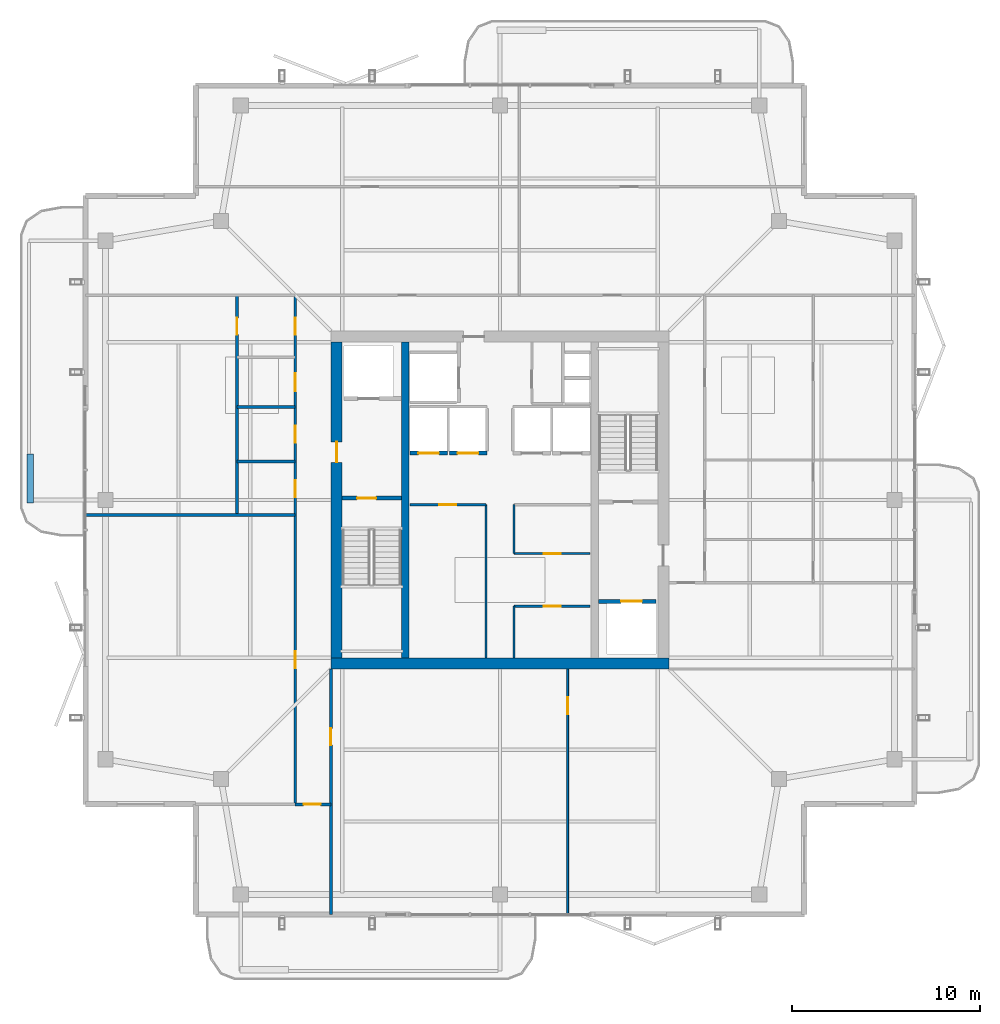
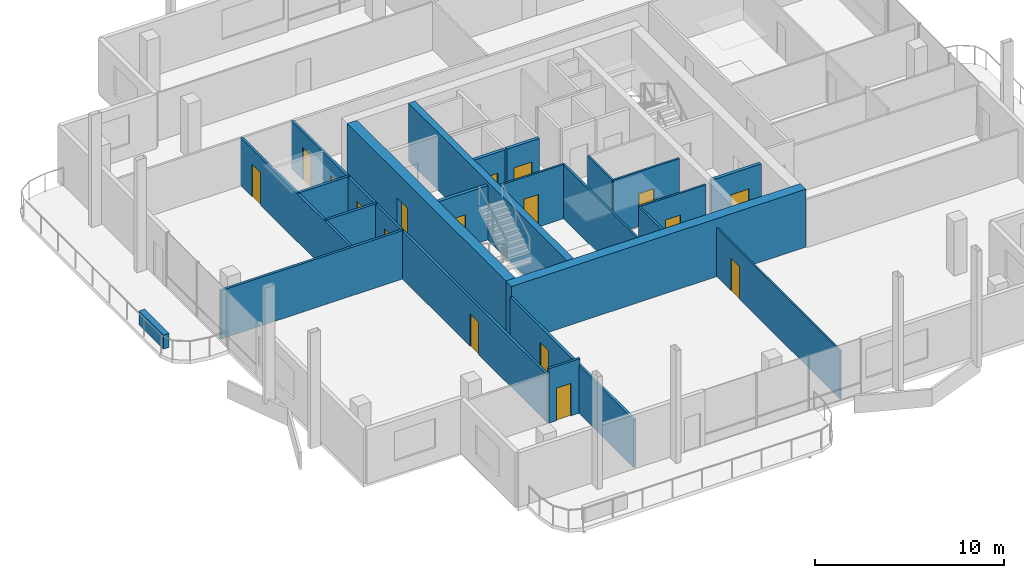
# One storey, part 16 of 22: 22 walls, 17 doors, 17 openings.
"""IFC4 building model written with IfcOpenShell, lengths in metres."""

from ifc_helpers import new_model, si_unit, direction, frame, frame_2d, origin, place, context, subcontext, project, spatial, rectangle, extrude, material, layer, layer_set, type_object, element, fill, save


model = new_model("IFC4")

# Units and contexts
model_context = context("Model", 3, precision=1e-05, world=origin(), true_north=direction((0.0, 1.0)))
body_context = subcontext(model_context, "Body", "Model", "MODEL_VIEW")
ifc_project = project(units=[si_unit("LENGTHUNIT", "METRE"), si_unit("AREAUNIT", "SQUARE_METRE"), si_unit("VOLUMEUNIT", "CUBIC_METRE"), si_unit("PLANEANGLEUNIT", "RADIAN"), si_unit("MASSUNIT", "GRAM", prefix="KILO")], contexts=[model_context])

# Site, building, storey
site_placement = place(None, origin())
site = spatial("IfcSite", under=ifc_project, at=site_placement, CompositionType="ELEMENT")
building_placement = place(site_placement, origin())
building = spatial("IfcBuilding", under=site, at=building_placement, Name="Belovzor Exchange Tower", CompositionType="ELEMENT")
storey_placement = place(building_placement, frame((0.0, 0.0, 336.75)))
storey = spatial("IfcBuildingStorey", under=building, at=storey_placement, Name="L84", CompositionType="ELEMENT", Elevation=336.75)

# Wall, opening, door
ifc_material_1 = material(Name="Acoustic Laminated Glass and Aluminium", Category="aluminium")
ifc_layer_1 = layer(ifc_material_1, 0.10009765625)
ifc_layer_set_1 = layer_set([ifc_layer_1], Name="Acoustic Laminated Glass and Aluminium")
wall_type_1 = type_object("IfcWallType", Name="Demountable Executive Glass Partition 100", PredefinedType="MOVABLE", material=ifc_layer_set_1)
wall_1_placement = place(storey_placement, frame((32.39990234375, 6.72998046875, 0.0), z_axis=(0.0, 0.0, 1.0), x_axis=(0.0, 1.0, 0.0)))
wall_1 = element("IfcWall", 1, at=wall_1_placement, inside=storey, type_object=wall_type_1, Name="W-M100 Partition Wall W-L84-SDIV-1", PredefinedType="MOVABLE", context=body_context, shape_type="SweptSolid", body=[
    extrude(rectangle(XDim=13.070068359375, YDim=0.10009765625, at=frame_2d((6.53515625, 0.0))), origin(), (0.0, 0.0, 1.0), 3.135009765625),
])
opening_1_placement = place(wall_1_placement, frame((10.669921875, 0.0, 0.0)))
opening_1 = element("IfcOpeningElement", 2, at=opening_1_placement, cuts=wall_1, Name="Opening D-INT-090", PredefinedType="OPENING", context=body_context, shape_type="SweptSolid", body=[
    extrude(rectangle(XDim=0.89990234375, YDim=2.10009765625, at=frame_2d((0.449951171875, 1.050048828125))), frame((0.0, 0.06005859375, 0.0), z_axis=(0.0, -1.0, 0.0), x_axis=(1.0, 0.0, 0.0)), (0.0, 0.0, 1.0), 0.1201171875),
])
ifc_material_2 = material(Name="Veneered Hardwood Acoustic Leaf", Category="wood")
door_type_1 = type_object("IfcDoorType", Name="Trading Suite Acoustic Single Door 900x2100", OperationType="NOTDEFINED", PredefinedType="DOOR", material=ifc_material_2)
door_1_placement = place(opening_1_placement, origin())
door_1 = element("IfcDoor", 3, at=door_1_placement, inside=storey, type_object=door_type_1, Name="D-INT-090 Trading Suite Acoustic Single Door 900x2100", OperationType="SINGLE_SWING_LEFT", OverallHeight=2.10009765625, OverallWidth=0.89990234375, PredefinedType="DOOR", context=body_context, shape_type="SweptSolid", body=[
    extrude(rectangle(XDim=0.89990234375, YDim=2.10009765625, at=frame_2d((0.449951171875, 1.050048828125))), frame((0.0, 0.02490234375, 0.0), z_axis=(0.0, -1.0, 0.0), x_axis=(1.0, 0.0, 0.0)), (0.0, 0.0, 1.0), 0.050048828125),
])
fill(opening_1, door_1)

ifc_material_3 = material(Name="Fire-Rated Plasterboard on Galvanised Studs", Category="gypsum")
ifc_layer_2 = layer(ifc_material_3, 0.1201171875)
ifc_layer_set_2 = layer_set([ifc_layer_2], Name="Fire-Rated Plasterboard on Galvanised Studs")
wall_type_2 = type_object("IfcWallType", Name="Fire-Rated Double-Stud Partition Wall 120", PredefinedType="PARTITIONING", material=ifc_layer_set_2)
wall_2_placement = place(storey_placement, frame((24.0, 28.550048828125, 0.0), z_axis=(0.0, 0.0, 1.0), x_axis=(1.0, 0.0, 0.0)))
wall_2 = element("IfcWall", 4, at=wall_2_placement, inside=storey, type_object=wall_type_2, Name="W-P120F Partition Wall W-CRWB-L84-N", PredefinedType="PARTITIONING", context=body_context, shape_type="SweptSolid", body=[
    extrude(rectangle(XDim=4.050048828125, YDim=0.1201171875, at=frame_2d((2.02490234375, 0.0))), origin(), (0.0, 0.0, 1.0), 3.510009765625),
])
opening_2_placement = place(wall_2_placement, frame((1.574951171875, 0.0, 0.0)))
opening_2 = element("IfcOpeningElement", 5, at=opening_2_placement, cuts=wall_2, Name="Opening D-FD60-090", PredefinedType="OPENING", context=body_context, shape_type="SweptSolid", body=[
    extrude(rectangle(XDim=0.89990234375, YDim=2.10009765625, at=frame_2d((0.449951171875, 1.050048828125))), frame((0.0, 0.070068359375, 0.0), z_axis=(0.0, -1.0, 0.0), x_axis=(1.0, 0.0, 0.0)), (0.0, 0.0, 1.0), 0.14013671875),
])
ifc_material_4 = material(Name="Acoustic Timber Fire Leaf", Category="wood")
door_type_2 = type_object("IfcDoorType", Name="Core Service & Restroom Fire Door 900x2100", OperationType="NOTDEFINED", PredefinedType="DOOR", material=ifc_material_4)
door_2_placement = place(opening_2_placement, origin())
door_2 = element("IfcDoor", 6, at=door_2_placement, inside=storey, type_object=door_type_2, Name="D-FD60-090 Core Service & Restroom Fire Door 900x2100", OperationType="SINGLE_SWING_LEFT", OverallHeight=2.10009765625, OverallWidth=0.89990234375, PredefinedType="DOOR", context=body_context, shape_type="SweptSolid", body=[
    extrude(rectangle(XDim=0.89990234375, YDim=2.10009765625, at=frame_2d((0.449951171875, 1.050048828125))), frame((0.0, 0.02490234375, 0.0), z_axis=(0.0, -1.0, 0.0), x_axis=(1.0, 0.0, 0.0)), (0.0, 0.0, 1.0), 0.050048828125),
])
fill(opening_2, door_2)

# Wall
wall_3_placement = place(storey_placement, frame((28.050048828125, 20.39990234375, 0.0), z_axis=(0.0, 0.0, 1.0), x_axis=(0.0, 1.0, 0.0)))
element("IfcWall", 7, at=wall_3_placement, inside=storey, type_object=wall_type_2, Name="W-P120F Partition Wall W-CRWB-L84-E", PredefinedType="PARTITIONING", context=body_context, shape_type="SweptSolid", body=[
    extrude(rectangle(XDim=8.150146484375, YDim=0.1201171875, at=frame_2d((4.0751953125, 0.0))), origin(), (0.0, 0.0, 1.0), 3.510009765625),
])

# Wall, opening, door
wall_4_placement = place(storey_placement, frame((29.550048828125, 23.14990234375, 0.0), z_axis=(0.0, 0.0, 1.0), x_axis=(1.0, 0.0, 0.0)))
wall_4 = element("IfcWall", 8, at=wall_4_placement, inside=storey, type_object=wall_type_2, Name="W-P120F Partition Wall W-CRL-L84-EN", PredefinedType="PARTITIONING", context=body_context, shape_type="SweptSolid", body=[
    extrude(rectangle(XDim=4.050048828125, YDim=0.1201171875, at=frame_2d((2.02490234375, 0.0))), origin(), (0.0, 0.0, 1.0), 3.510009765625),
])
opening_3_placement = place(wall_4_placement, frame((1.574951171875, 0.0, 0.0)))
opening_3 = element("IfcOpeningElement", 9, at=opening_3_placement, cuts=wall_4, Name="Opening D-FD60-090", PredefinedType="OPENING", context=body_context, shape_type="SweptSolid", body=[
    extrude(rectangle(XDim=0.89990234375, YDim=2.10009765625, at=frame_2d((0.449951171875, 1.050048828125))), frame((0.0, 0.070068359375, 0.0), z_axis=(0.0, -1.0, 0.0), x_axis=(1.0, 0.0, 0.0)), (0.0, 0.0, 1.0), 0.14013671875),
])
door_3_placement = place(opening_3_placement, origin())
door_3 = element("IfcDoor", 10, at=door_3_placement, inside=storey, type_object=door_type_2, Name="D-FD60-090 Core Service & Restroom Fire Door 900x2100", OperationType="SINGLE_SWING_RIGHT", OverallHeight=2.10009765625, OverallWidth=0.89990234375, PredefinedType="DOOR", context=body_context, shape_type="SweptSolid", body=[
    extrude(rectangle(XDim=0.89990234375, YDim=2.10009765625, at=frame_2d((0.449951171875, 1.050048828125))), frame((0.0, 0.02490234375, 0.0), z_axis=(0.0, -1.0, 0.0), x_axis=(1.0, 0.0, 0.0)), (0.0, 0.0, 1.0), 0.050048828125),
])
fill(opening_3, door_3)

# Wall
wall_5_placement = place(storey_placement, frame((29.550048828125, 20.39990234375, 0.0), z_axis=(0.0, 0.0, 1.0), x_axis=(0.0, 1.0, 0.0)))
element("IfcWall", 11, at=wall_5_placement, inside=storey, type_object=wall_type_2, Name="W-P120F Partition Wall W-CRL-L84-EW", PredefinedType="PARTITIONING", context=body_context, shape_type="SweptSolid", body=[
    extrude(rectangle(XDim=2.75, YDim=0.1201171875, at=frame_2d((1.375, 0.0))), origin(), (0.0, 0.0, 1.0), 3.510009765625),
])

# Wall, opening, door
wall_6_placement = place(storey_placement, frame((29.550048828125, 25.949951171875, 0.0), z_axis=(0.0, 0.0, 1.0), x_axis=(1.0, 0.0, 0.0)))
wall_6 = element("IfcWall", 12, at=wall_6_placement, inside=storey, type_object=wall_type_2, Name="W-P120F Partition Wall W-CRM-L84-ES", PredefinedType="PARTITIONING", context=body_context, shape_type="SweptSolid", body=[
    extrude(rectangle(XDim=4.050048828125, YDim=0.1201171875, at=frame_2d((2.02490234375, 0.0))), origin(), (0.0, 0.0, 1.0), 3.510009765625),
])
opening_4_placement = place(wall_6_placement, frame((1.574951171875, 0.0, 0.0)))
opening_4 = element("IfcOpeningElement", 13, at=opening_4_placement, cuts=wall_6, Name="Opening D-FD60-090", PredefinedType="OPENING", context=body_context, shape_type="SweptSolid", body=[
    extrude(rectangle(XDim=0.89990234375, YDim=2.10009765625, at=frame_2d((0.449951171875, 1.050048828125))), frame((0.0, 0.070068359375, 0.0), z_axis=(0.0, -1.0, 0.0), x_axis=(1.0, 0.0, 0.0)), (0.0, 0.0, 1.0), 0.14013671875),
])
door_4_placement = place(opening_4_placement, origin())
door_4 = element("IfcDoor", 14, at=door_4_placement, inside=storey, type_object=door_type_2, Name="D-FD60-090 Core Service & Restroom Fire Door 900x2100", OperationType="SINGLE_SWING_RIGHT", OverallHeight=2.10009765625, OverallWidth=0.89990234375, PredefinedType="DOOR", context=body_context, shape_type="SweptSolid", body=[
    extrude(rectangle(XDim=0.89990234375, YDim=2.10009765625, at=frame_2d((0.449951171875, 1.050048828125))), frame((0.0, 0.02490234375, 0.0), z_axis=(0.0, -1.0, 0.0), x_axis=(1.0, 0.0, 0.0)), (0.0, 0.0, 1.0), 0.050048828125),
])
fill(opening_4, door_4)

# Wall
wall_7_placement = place(storey_placement, frame((29.550048828125, 25.949951171875, 0.0), z_axis=(0.0, 0.0, 1.0), x_axis=(0.0, 1.0, 0.0)))
element("IfcWall", 15, at=wall_7_placement, inside=storey, type_object=wall_type_2, Name="W-P120F Partition Wall W-CRM-L84-EW", PredefinedType="PARTITIONING", context=body_context, shape_type="SweptSolid", body=[
    extrude(rectangle(XDim=2.60009765625, YDim=0.1201171875, at=frame_2d((1.300048828125, 0.0))), origin(), (0.0, 0.0, 1.0), 3.510009765625),
])

# Wall, opening, door
ifc_material_5 = material(Name="Fire-Rated Gypsum Block and Mineral Wool", Category="gypsum")
ifc_layer_3 = layer(ifc_material_5, 0.14990234375)
ifc_layer_set_3 = layer_set([ifc_layer_3], Name="Fire-Rated Gypsum Block and Mineral Wool")
wall_type_3 = type_object("IfcWallType", Name="Fire-Rated Gypsum Block Corridor Wall 150", PredefinedType="PARTITIONING", material=ifc_layer_set_3)
wall_8_placement = place(storey_placement, frame((14.800048828125, 28.0, 0.0), z_axis=(0.0, 0.0, 1.0), x_axis=(0.0, 1.0, 0.0)))
wall_8 = element("IfcWall", 16, at=wall_8_placement, inside=storey, type_object=wall_type_3, Name="W-P150 Partition Wall W-L84-WCW", PredefinedType="PARTITIONING", context=body_context, shape_type="SweptSolid", body=[
    extrude(rectangle(XDim=11.699951171875, YDim=0.14990234375, at=frame_2d((5.85009765625, 0.0))), origin(), (0.0, 0.0, 1.0), 3.094970703125),
])
opening_5_placement = place(wall_8_placement, frame((9.60009765625, 0.0, 0.0)))
opening_5 = element("IfcOpeningElement", 17, at=opening_5_placement, cuts=wall_8, Name="Opening D-INT-090", PredefinedType="OPENING", context=body_context, shape_type="SweptSolid", body=[
    extrude(rectangle(XDim=0.89990234375, YDim=2.10009765625, at=frame_2d((0.449951171875, 1.050048828125))), frame((0.0, 0.0849609375, 0.0), z_axis=(0.0, -1.0, 0.0), x_axis=(1.0, 0.0, 0.0)), (0.0, 0.0, 1.0), 0.169921875),
])
door_5_placement = place(opening_5_placement, origin())
door_5 = element("IfcDoor", 18, at=door_5_placement, inside=storey, type_object=door_type_1, Name="D-INT-090 Trading Suite Acoustic Single Door 900x2100", OperationType="SINGLE_SWING_LEFT", OverallHeight=2.10009765625, OverallWidth=0.89990234375, PredefinedType="DOOR", context=body_context, shape_type="SweptSolid", body=[
    extrude(rectangle(XDim=0.89990234375, YDim=2.10009765625, at=frame_2d((0.449951171875, 1.050048828125))), frame((0.0, 0.02490234375, 0.0), z_axis=(0.0, -1.0, 0.0), x_axis=(1.0, 0.0, 0.0)), (0.0, 0.0, 1.0), 0.050048828125),
])
fill(opening_5, door_5)

# Walls
wall_9_placement = place(storey_placement, frame((6.72998046875, 28.0, 0.0), z_axis=(0.0, 0.0, 1.0), x_axis=(1.0, 0.0, 0.0)))
element("IfcWall", 19, at=wall_9_placement, inside=storey, type_object=wall_type_3, Name="W-P150 Partition Wall W-L84-WCS", PredefinedType="PARTITIONING", context=body_context, shape_type="SweptSolid", body=[
    extrude(rectangle(XDim=11.169921875, YDim=0.14990234375, at=frame_2d((5.5849609375, 0.0))), origin(), (0.0, 0.0, 1.0), 3.135009765625),
])
for number, where, z_axis, x_axis, name in (
    (20, (14.800048828125, 30.85009765625, 0.0), (0.0, 0.0, 1.0), (1.0, 0.0, 0.0), "W-P150 Partition Wall W-L84-WCD1"),
    (21, (14.800048828125, 33.75, 0.0), (0.0, 0.0, 1.0), (1.0, 0.0, 0.0), "W-P150 Partition Wall W-L84-WCD2"),
):
    element("IfcWall", number, at=place(storey_placement, frame(where, z_axis=z_axis, x_axis=x_axis)), inside=storey, type_object=wall_type_3, Name=name, PredefinedType="PARTITIONING", context=body_context, shape_type="SweptSolid", body=[
        extrude(rectangle(XDim=3.099853515625, YDim=0.14990234375, at=frame_2d((1.5498046875, 0.0))), origin(), (0.0, 0.0, 1.0), 3.135009765625),
    ])

# Wall, opening, door
wall_10_placement = place(storey_placement, frame((17.89990234375, 12.60009765625, 0.0), z_axis=(0.0, 0.0, 1.0), x_axis=(1.0, 0.0, 0.0)))
wall_10 = element("IfcWall", 22, at=wall_10_placement, inside=storey, type_object=wall_type_3, Name="W-P150 Partition Wall W-L84-CW-END", PredefinedType="PARTITIONING", context=body_context, shape_type="SweptSolid", body=[
    extrude(rectangle(XDim=1.900146484375, YDim=0.14990234375, at=frame_2d((0.9501953125, 0.0))), origin(), (0.0, 0.0, 1.0), 3.510009765625),
])
opening_6_placement = place(wall_10_placement, frame((0.449951171875, 0.0, 0.0)))
opening_6 = element("IfcOpeningElement", 23, at=opening_6_placement, cuts=wall_10, Name="Opening D-FD60-090", PredefinedType="OPENING", context=body_context, shape_type="SweptSolid", body=[
    extrude(rectangle(XDim=0.89990234375, YDim=2.10009765625, at=frame_2d((0.449951171875, 1.050048828125))), frame((0.0, 0.0849609375, 0.0), z_axis=(0.0, -1.0, 0.0), x_axis=(1.0, 0.0, 0.0)), (0.0, 0.0, 1.0), 0.169921875),
])
door_6_placement = place(opening_6_placement, origin())
door_6 = element("IfcDoor", 24, at=door_6_placement, inside=storey, type_object=door_type_2, Name="D-FD60-090 Core Service & Restroom Fire Door 900x2100", OperationType="SINGLE_SWING_LEFT", OverallHeight=2.10009765625, OverallWidth=0.89990234375, PredefinedType="DOOR", context=body_context, shape_type="SweptSolid", body=[
    extrude(rectangle(XDim=0.89990234375, YDim=2.10009765625, at=frame_2d((0.449951171875, 1.050048828125))), frame((0.0, 0.02490234375, 0.0), z_axis=(0.0, -1.0, 0.0), x_axis=(1.0, 0.0, 0.0)), (0.0, 0.0, 1.0), 0.050048828125),
])
fill(opening_6, door_6)

wall_11_placement = place(storey_placement, frame((19.800048828125, 6.72998046875, 0.0), z_axis=(0.0, 0.0, 1.0), x_axis=(0.0, 1.0, 0.0)))
wall_11 = element("IfcWall", 25, at=wall_11_placement, inside=storey, type_object=wall_type_3, Name="W-P150 Partition Wall W-L84-CW-E", PredefinedType="PARTITIONING", context=body_context, shape_type="SweptSolid", body=[
    extrude(rectangle(XDim=13.070068359375, YDim=0.14990234375, at=frame_2d((6.53515625, 0.0))), origin(), (0.0, 0.0, 1.0), 3.094970703125),
])
opening_7_placement = place(wall_11_placement, frame((9.02001953125, 0.0, 0.0)))
opening_7 = element("IfcOpeningElement", 26, at=opening_7_placement, cuts=wall_11, Name="Opening D-FD60-090", PredefinedType="OPENING", context=body_context, shape_type="SweptSolid", body=[
    extrude(rectangle(XDim=0.89990234375, YDim=2.10009765625, at=frame_2d((0.449951171875, 1.050048828125))), frame((0.0, 0.0849609375, 0.0), z_axis=(0.0, -1.0, 0.0), x_axis=(1.0, 0.0, 0.0)), (0.0, 0.0, 1.0), 0.169921875),
])
door_7_placement = place(opening_7_placement, origin())
door_7 = element("IfcDoor", 27, at=door_7_placement, inside=storey, type_object=door_type_2, Name="D-FD60-090 Core Service & Restroom Fire Door 900x2100", OperationType="SINGLE_SWING_RIGHT", OverallHeight=2.10009765625, OverallWidth=0.89990234375, PredefinedType="DOOR", context=body_context, shape_type="SweptSolid", body=[
    extrude(rectangle(XDim=0.89990234375, YDim=2.10009765625, at=frame_2d((0.449951171875, 1.050048828125))), frame((0.0, 0.02490234375, 0.0), z_axis=(0.0, -1.0, 0.0), x_axis=(1.0, 0.0, 0.0)), (0.0, 0.0, 1.0), 0.050048828125),
])
fill(opening_7, door_7)

# Wall, openings, doors
wall_12_placement = place(storey_placement, frame((17.89990234375, 12.60009765625, 0.0), z_axis=(0.0, 0.0, 1.0), x_axis=(0.0, 1.0, 0.0)))
wall_12 = element("IfcWall", 28, at=wall_12_placement, inside=storey, type_object=wall_type_3, Name="W-P150 Partition Wall W-L84-CW", PredefinedType="PARTITIONING", context=body_context, shape_type="SweptSolid", body=[
    extrude(rectangle(XDim=27.099853515625, YDim=0.14990234375, at=frame_2d((13.5498046875, 0.0))), origin(), (0.0, 0.0, 1.0), 3.094970703125),
])
opening_8_placement = place(wall_12_placement, frame((7.25, 0.0, 0.0)))
opening_8 = element("IfcOpeningElement", 29, at=opening_8_placement, cuts=wall_12, Name="Opening D-INT-090", PredefinedType="OPENING", context=body_context, shape_type="SweptSolid", body=[
    extrude(rectangle(XDim=0.89990234375, YDim=2.10009765625, at=frame_2d((0.449951171875, 1.050048828125))), frame((0.0, 0.0849609375, 0.0), z_axis=(0.0, -1.0, 0.0), x_axis=(1.0, 0.0, 0.0)), (0.0, 0.0, 1.0), 0.169921875),
])
opening_9_placement = place(wall_12_placement, frame((16.35009765625, 0.0, 0.0)))
opening_9 = element("IfcOpeningElement", 30, at=opening_9_placement, cuts=wall_12, Name="Opening D-FD60-090", PredefinedType="OPENING", context=body_context, shape_type="SweptSolid", body=[
    extrude(rectangle(XDim=0.89990234375, YDim=2.10009765625, at=frame_2d((0.449951171875, 1.050048828125))), frame((0.0, 0.0849609375, 0.0), z_axis=(0.0, -1.0, 0.0), x_axis=(1.0, 0.0, 0.0)), (0.0, 0.0, 1.0), 0.169921875),
])
opening_10_placement = place(wall_12_placement, frame((19.25, 0.0, 0.0)))
opening_10 = element("IfcOpeningElement", 31, at=opening_10_placement, cuts=wall_12, Name="Opening D-FD60-090", PredefinedType="OPENING", context=body_context, shape_type="SweptSolid", body=[
    extrude(rectangle(XDim=0.89990234375, YDim=2.10009765625, at=frame_2d((0.449951171875, 1.050048828125))), frame((0.0, 0.0849609375, 0.0), z_axis=(0.0, -1.0, 0.0), x_axis=(1.0, 0.0, 0.0)), (0.0, 0.0, 1.0), 0.169921875),
])
opening_11_placement = place(wall_12_placement, frame((22.0, 0.0, 0.0)))
opening_11 = element("IfcOpeningElement", 32, at=opening_11_placement, cuts=wall_12, Name="Opening D-FD60-095", PredefinedType="OPENING", context=body_context, shape_type="SweptSolid", body=[
    extrude(rectangle(XDim=0.949951171875, YDim=2.10009765625, at=frame_2d((0.47509765625, 1.050048828125))), frame((0.0, 0.0849609375, 0.0), z_axis=(0.0, -1.0, 0.0), x_axis=(1.0, 0.0, 0.0)), (0.0, 0.0, 1.0), 0.169921875),
])
opening_12_placement = place(wall_12_placement, frame((25.0, 0.0, 0.0)))
opening_12 = element("IfcOpeningElement", 33, at=opening_12_placement, cuts=wall_12, Name="Opening D-FD60-090", PredefinedType="OPENING", context=body_context, shape_type="SweptSolid", body=[
    extrude(rectangle(XDim=0.89990234375, YDim=2.10009765625, at=frame_2d((0.449951171875, 1.050048828125))), frame((0.0, 0.0849609375, 0.0), z_axis=(0.0, -1.0, 0.0), x_axis=(1.0, 0.0, 0.0)), (0.0, 0.0, 1.0), 0.169921875),
])
ifc_material_6 = material(Name="Moisture-Resistant Timber Fire Leaf", Category="wood")
door_type_3 = type_object("IfcDoorType", Name="Accessible Restroom Wide Fire Door 950x2100", OperationType="NOTDEFINED", PredefinedType="DOOR", material=ifc_material_6)
door_8_placement = place(opening_11_placement, origin())
door_8 = element("IfcDoor", 34, at=door_8_placement, inside=storey, type_object=door_type_3, Name="D-FD60-095 Accessible Restroom Wide Fire Door 950x2100", OperationType="SINGLE_SWING_LEFT", OverallHeight=2.10009765625, OverallWidth=0.949951171875, PredefinedType="DOOR", context=body_context, shape_type="SweptSolid", body=[
    extrude(rectangle(XDim=0.949951171875, YDim=2.10009765625, at=frame_2d((0.47509765625, 1.050048828125))), frame((0.0, 0.02490234375, 0.0), z_axis=(0.0, -1.0, 0.0), x_axis=(1.0, 0.0, 0.0)), (0.0, 0.0, 1.0), 0.050048828125),
])
fill(opening_11, door_8)
door_9_placement = place(opening_9_placement, origin())
door_9 = element("IfcDoor", 35, at=door_9_placement, inside=storey, type_object=door_type_2, Name="D-FD60-090 Core Service & Restroom Fire Door 900x2100", OperationType="SINGLE_SWING_LEFT", OverallHeight=2.10009765625, OverallWidth=0.89990234375, PredefinedType="DOOR", context=body_context, shape_type="SweptSolid", body=[
    extrude(rectangle(XDim=0.89990234375, YDim=2.10009765625, at=frame_2d((0.449951171875, 1.050048828125))), frame((0.0, 0.02490234375, 0.0), z_axis=(0.0, -1.0, 0.0), x_axis=(1.0, 0.0, 0.0)), (0.0, 0.0, 1.0), 0.050048828125),
])
fill(opening_9, door_9)
door_10_placement = place(opening_10_placement, origin())
door_10 = element("IfcDoor", 36, at=door_10_placement, inside=storey, type_object=door_type_2, Name="D-FD60-090 Core Service & Restroom Fire Door 900x2100", OperationType="SINGLE_SWING_RIGHT", OverallHeight=2.10009765625, OverallWidth=0.89990234375, PredefinedType="DOOR", context=body_context, shape_type="SweptSolid", body=[
    extrude(rectangle(XDim=0.89990234375, YDim=2.10009765625, at=frame_2d((0.449951171875, 1.050048828125))), frame((0.0, 0.02490234375, 0.0), z_axis=(0.0, -1.0, 0.0), x_axis=(1.0, 0.0, 0.0)), (0.0, 0.0, 1.0), 0.050048828125),
])
fill(opening_10, door_10)
door_11_placement = place(opening_12_placement, origin())
door_11 = element("IfcDoor", 37, at=door_11_placement, inside=storey, type_object=door_type_2, Name="D-FD60-090 Core Service & Restroom Fire Door 900x2100", OperationType="SINGLE_SWING_LEFT", OverallHeight=2.10009765625, OverallWidth=0.89990234375, PredefinedType="DOOR", context=body_context, shape_type="SweptSolid", body=[
    extrude(rectangle(XDim=0.89990234375, YDim=2.10009765625, at=frame_2d((0.449951171875, 1.050048828125))), frame((0.0, 0.02490234375, 0.0), z_axis=(0.0, -1.0, 0.0), x_axis=(1.0, 0.0, 0.0)), (0.0, 0.0, 1.0), 0.050048828125),
])
fill(opening_12, door_11)
door_12_placement = place(opening_8_placement, origin())
door_12 = element("IfcDoor", 38, at=door_12_placement, inside=storey, type_object=door_type_1, Name="D-INT-090 Trading Suite Acoustic Single Door 900x2100", OperationType="SINGLE_SWING_LEFT", OverallHeight=2.10009765625, OverallWidth=0.89990234375, PredefinedType="DOOR", context=body_context, shape_type="SweptSolid", body=[
    extrude(rectangle(XDim=0.89990234375, YDim=2.10009765625, at=frame_2d((0.449951171875, 1.050048828125))), frame((0.0, 0.02490234375, 0.0), z_axis=(0.0, -1.0, 0.0), x_axis=(1.0, 0.0, 0.0)), (0.0, 0.0, 1.0), 0.050048828125),
])
fill(opening_8, door_12)

# Walls
ifc_material_7 = material(Name="Precast concrete C40/50", Category="concrete")
ifc_layer_4 = layer(ifc_material_7, 0.35009765625)
ifc_layer_set_4 = layer_set([ifc_layer_4], Name="Precast concrete C40/50")
wall_type_4 = type_object("IfcWallType", Name="Precast Concrete Structural Tree Planter Trough 350", PredefinedType="PARAPET", material=ifc_layer_set_4)
wall_13_placement = place(storey_placement, frame((3.800048828125, 28.64990234375, 0.0), z_axis=(0.0, 0.0, 1.0), x_axis=(0.0, 1.0, 0.0)))
element("IfcWall", 39, at=wall_13_placement, inside=storey, type_object=wall_type_4, Name="PT-350 Precast Concrete Structural Tree Planter Trough 350 L84", PredefinedType="PARAPET", context=body_context, shape_type="SweptSolid", body=[
    extrude(rectangle(XDim=2.60009765625, YDim=0.35009765625, at=frame_2d((1.300048828125, 0.0))), origin(), (0.0, 0.0, 1.0), 0.89990234375),
])
ifc_material_8 = material(Name="Concrete C50/60", Category="concrete")
ifc_layer_5 = layer(ifc_material_8, 0.39990234375)
ifc_layer_set_5 = layer_set([ifc_layer_5], Name="Concrete C50/60")
wall_type_5 = type_object("IfcWallType", Name="Reinforced Concrete Core Internal Web Wall 400", PredefinedType="SHEAR", material=ifc_layer_set_5)
wall_14_placement = place(storey_placement, frame((23.75, 20.39990234375, 0.0), z_axis=(0.0, 0.0, 1.0), x_axis=(0.0, 1.0, 0.0)))
element("IfcWall", 40, at=wall_14_placement, inside=storey, type_object=wall_type_5, Name="CW-W040 Core Internal Web Wall L84 WL", PredefinedType="SHEAR", context=body_context, shape_type="SweptSolid", body=[
    extrude(rectangle(XDim=16.800048828125, YDim=0.39990234375, at=frame_2d((8.39990234375, 0.0))), origin(), (0.0, 0.0, 1.0), 3.75),
])

# Wall, opening, door
ifc_material_9 = material(Name="Concrete C50/60", Category="concrete")
ifc_layer_6 = layer(ifc_material_9, 0.199951171875)
ifc_layer_set_6 = layer_set([ifc_layer_6], Name="Concrete C50/60")
wall_type_6 = type_object("IfcWallType", Name="Reinforced Concrete Core Shaft Shear Wall 200", PredefinedType="SHEAR", material=ifc_layer_set_6)
wall_15_placement = place(storey_placement, frame((20.39990234375, 28.89990234375, 0.0), z_axis=(0.0, 0.0, 1.0), x_axis=(1.0, 0.0, 0.0)))
wall_15 = element("IfcWall", 41, at=wall_15_placement, inside=storey, type_object=wall_type_6, Name="W-C200S Core Shaft Wall W-CORE-L84-FFLW1", PredefinedType="SHEAR", context=body_context, shape_type="SweptSolid", body=[
    extrude(rectangle(XDim=3.150146484375, YDim=0.199951171875, at=frame_2d((1.5751953125, 0.0))), origin(), (0.0, 0.0, 1.0), 3.510009765625),
])
opening_13_placement = place(wall_15_placement, frame((0.800048828125, 0.0, 0.0)))
opening_13 = element("IfcOpeningElement", 42, at=opening_13_placement, cuts=wall_15, Name="Opening D-FD90-100", PredefinedType="OPENING", context=body_context, shape_type="SweptSolid", body=[
    extrude(rectangle(XDim=1.0, YDim=2.10009765625, at=frame_2d((0.5, 1.050048828125))), frame((0.0, 0.10986328125, 0.0), z_axis=(0.0, -1.0, 0.0), x_axis=(1.0, 0.0, 0.0)), (0.0, 0.0, 1.0), 0.219970703125),
])
ifc_material_10 = material(Name="Fire-Rated Galvanised Steel Leaf", Category="steel")
door_type_4 = type_object("IfcDoorType", Name="Protected Stairwell Single Fire Door 1000x2100", OperationType="NOTDEFINED", PredefinedType="DOOR", material=ifc_material_10)
door_13_placement = place(opening_13_placement, origin())
door_13 = element("IfcDoor", 43, at=door_13_placement, inside=storey, type_object=door_type_4, Name="D-FD90-100 Protected Stairwell Single Fire Door 1000x2100", OperationType="SINGLE_SWING_RIGHT", OverallHeight=2.10009765625, OverallWidth=1.0, PredefinedType="DOOR", context=body_context, shape_type="SweptSolid", body=[
    extrude(rectangle(XDim=1.0, YDim=2.10009765625, at=frame_2d((0.5, 1.050048828125))), frame((0.0, 0.02490234375, 0.0), z_axis=(0.0, -1.0, 0.0), x_axis=(1.0, 0.0, 0.0)), (0.0, 0.0, 1.0), 0.050048828125),
])
fill(opening_13, door_13)

wall_16_placement = place(storey_placement, frame((34.050048828125, 23.39990234375, 0.0), z_axis=(0.0, 0.0, 1.0), x_axis=(1.0, 0.0, 0.0)))
wall_16 = element("IfcWall", 44, at=wall_16_placement, inside=storey, type_object=wall_type_6, Name="W-C200S Core Shaft Wall W-SH-L84-FFL-02", PredefinedType="SHEAR", context=body_context, shape_type="SweptSolid", body=[
    extrude(rectangle(XDim=3.050048828125, YDim=0.199951171875, at=frame_2d((1.52490234375, 0.0))), origin(), (0.0, 0.0, 1.0), 3.510009765625),
])
opening_14_placement = place(wall_16_placement, frame((1.199951171875, 0.0, 0.0)))
opening_14 = element("IfcOpeningElement", 45, at=opening_14_placement, cuts=wall_16, Name="Opening LD-110", PredefinedType="OPENING", context=body_context, shape_type="SweptSolid", body=[
    extrude(rectangle(XDim=1.10009765625, YDim=2.14990234375, at=frame_2d((0.550048828125, 1.074951171875))), frame((0.0, 0.10986328125, 0.0), z_axis=(0.0, -1.0, 0.0), x_axis=(1.0, 0.0, 0.0)), (0.0, 0.0, 1.0), 0.219970703125),
])
ifc_material_11 = material(Name="Stainless Steel Grade 304", Category="steel")
door_type_5 = type_object("IfcDoorType", Name="Automated Stainless Steel Lift Landing Door 1100x2150", OperationType="SLIDING_TO_RIGHT", PredefinedType="DOOR", material=ifc_material_11)
door_14_placement = place(opening_14_placement, origin())
door_14 = element("IfcDoor", 46, at=door_14_placement, inside=storey, type_object=door_type_5, Name="LD-110 Automated Stainless Steel Lift Landing Door 1100x2150", OperationType="SLIDING_TO_RIGHT", OverallHeight=2.14990234375, OverallWidth=1.10009765625, PredefinedType="DOOR", context=body_context, shape_type="SweptSolid", body=[
    extrude(rectangle(XDim=1.10009765625, YDim=2.14990234375, at=frame_2d((0.550048828125, 1.074951171875))), frame((0.0, 0.02490234375, 0.0), z_axis=(0.0, -1.0, 0.0), x_axis=(1.0, 0.0, 0.0)), (0.0, 0.0, 1.0), 0.050048828125),
])
fill(opening_14, door_14)

wall_17_placement = place(storey_placement, frame((24.0, 31.300048828125, 0.0), z_axis=(0.0, 0.0, 1.0), x_axis=(1.0, 0.0, 0.0)))
wall_17 = element("IfcWall", 47, at=wall_17_placement, inside=storey, type_object=wall_type_6, Name="W-C200S Core Shaft Wall W-SH-L84-PL-H1", PredefinedType="SHEAR", context=body_context, shape_type="SweptSolid", body=[
    extrude(rectangle(XDim=2.0, YDim=0.199951171875, at=frame_2d((1.0, 0.0))), origin(), (0.0, 0.0, 1.0), 3.510009765625),
])
opening_15_placement = place(wall_17_placement, frame((0.449951171875, 0.0, 0.0)))
opening_15 = element("IfcOpeningElement", 48, at=opening_15_placement, cuts=wall_17, Name="Opening LD-110", PredefinedType="OPENING", context=body_context, shape_type="SweptSolid", body=[
    extrude(rectangle(XDim=1.10009765625, YDim=2.14990234375, at=frame_2d((0.550048828125, 1.074951171875))), frame((0.0, 0.10986328125, 0.0), z_axis=(0.0, -1.0, 0.0), x_axis=(1.0, 0.0, 0.0)), (0.0, 0.0, 1.0), 0.219970703125),
])
door_15_placement = place(opening_15_placement, origin())
door_15 = element("IfcDoor", 49, at=door_15_placement, inside=storey, type_object=door_type_5, Name="LD-110 Automated Stainless Steel Lift Landing Door 1100x2150", OperationType="SLIDING_TO_RIGHT", OverallHeight=2.14990234375, OverallWidth=1.10009765625, PredefinedType="DOOR", context=body_context, shape_type="SweptSolid", body=[
    extrude(rectangle(XDim=1.10009765625, YDim=2.14990234375, at=frame_2d((0.550048828125, 1.074951171875))), frame((0.0, 0.02490234375, 0.0), z_axis=(0.0, -1.0, 0.0), x_axis=(1.0, 0.0, 0.0)), (0.0, 0.0, 1.0), 0.050048828125),
])
fill(opening_15, door_15)

wall_18_placement = place(storey_placement, frame((26.10009765625, 31.300048828125, 0.0), z_axis=(0.0, 0.0, 1.0), x_axis=(1.0, 0.0, 0.0)))
wall_18 = element("IfcWall", 50, at=wall_18_placement, inside=storey, type_object=wall_type_6, Name="W-C200S Core Shaft Wall W-SH-L84-PL-H2", PredefinedType="SHEAR", context=body_context, shape_type="SweptSolid", body=[
    extrude(rectangle(XDim=2.0, YDim=0.199951171875, at=frame_2d((1.0, 0.0))), origin(), (0.0, 0.0, 1.0), 3.510009765625),
])
opening_16_placement = place(wall_18_placement, frame((0.449951171875, 0.0, 0.0)))
opening_16 = element("IfcOpeningElement", 51, at=opening_16_placement, cuts=wall_18, Name="Opening LD-110", PredefinedType="OPENING", context=body_context, shape_type="SweptSolid", body=[
    extrude(rectangle(XDim=1.10009765625, YDim=2.14990234375, at=frame_2d((0.550048828125, 1.074951171875))), frame((0.0, 0.10986328125, 0.0), z_axis=(0.0, -1.0, 0.0), x_axis=(1.0, 0.0, 0.0)), (0.0, 0.0, 1.0), 0.219970703125),
])
door_16_placement = place(opening_16_placement, origin())
door_16 = element("IfcDoor", 52, at=door_16_placement, inside=storey, type_object=door_type_5, Name="LD-110 Automated Stainless Steel Lift Landing Door 1100x2150", OperationType="SLIDING_TO_RIGHT", OverallHeight=2.14990234375, OverallWidth=1.10009765625, PredefinedType="DOOR", context=body_context, shape_type="SweptSolid", body=[
    extrude(rectangle(XDim=1.10009765625, YDim=2.14990234375, at=frame_2d((0.550048828125, 1.074951171875))), frame((0.0, 0.02490234375, 0.0), z_axis=(0.0, -1.0, 0.0), x_axis=(1.0, 0.0, 0.0)), (0.0, 0.0, 1.0), 0.050048828125),
])
fill(opening_16, door_16)

# Wall
ifc_material_12 = material(Name="Concrete C50/60", Category="concrete")
ifc_layer_7 = layer(ifc_material_12, 0.60009765625)
ifc_layer_set_7 = layer_set([ifc_layer_7], Name="Concrete C50/60")
wall_type_7 = type_object("IfcWallType", Name="Reinforced Concrete Core Shear Wall 600", PredefinedType="SHEAR", material=ifc_layer_set_7)
wall_19_placement = place(storey_placement, frame((19.800048828125, 20.10009765625, 0.0), z_axis=(0.0, 0.0, 1.0), x_axis=(1.0, 0.0, 0.0)))
element("IfcWall", 53, at=wall_19_placement, inside=storey, type_object=wall_type_7, Name="CW-S060 Core Shear Wall L84 S", PredefinedType="SHEAR", context=body_context, shape_type="SweptSolid", body=[
    extrude(rectangle(XDim=18.0, YDim=0.60009765625, at=frame_2d((9.0, 0.0))), origin(), (0.0, 0.0, 1.0), 3.75),
])

# Wall, opening, door
wall_20_placement = place(storey_placement, frame((20.10009765625, 20.39990234375, 0.0), z_axis=(0.0, 0.0, 1.0), x_axis=(0.0, 1.0, 0.0)))
wall_20 = element("IfcWall", 54, at=wall_20_placement, inside=storey, type_object=wall_type_7, Name="CW-S060 Core Shear Wall L84 W", PredefinedType="SHEAR", context=body_context, shape_type="SweptSolid", body=[
    extrude(rectangle(XDim=16.800048828125, YDim=0.60009765625, at=frame_2d((8.39990234375, 0.0))), origin(), (0.0, 0.0, 1.0), 3.75),
])
opening_17_placement = place(wall_20_placement, frame((10.39990234375, 0.0, 0.0)))
opening_17 = element("IfcOpeningElement", 55, at=opening_17_placement, cuts=wall_20, Name="Opening D-FD90-110", PredefinedType="OPENING", context=body_context, shape_type="SweptSolid", body=[
    extrude(rectangle(XDim=1.10009765625, YDim=2.14990234375, at=frame_2d((0.550048828125, 1.074951171875))), frame((0.0, 0.31005859375, 0.0), z_axis=(0.0, -1.0, 0.0), x_axis=(1.0, 0.0, 0.0)), (0.0, 0.0, 1.0), 0.6201171875),
])
ifc_material_13 = material(Name="Fire-Rated Galvanised Steel Leaf", Category="steel")
door_type_6 = type_object("IfcDoorType", Name="Protected Escape Vestibule Fire Door 1100x2150", OperationType="NOTDEFINED", PredefinedType="DOOR", material=ifc_material_13)
door_17_placement = place(opening_17_placement, origin())
door_17 = element("IfcDoor", 56, at=door_17_placement, inside=storey, type_object=door_type_6, Name="D-FD90-110 Protected Escape Vestibule Fire Door 1100x2150", OperationType="SINGLE_SWING_LEFT", OverallHeight=2.14990234375, OverallWidth=1.10009765625, PredefinedType="DOOR", context=body_context, shape_type="SweptSolid", body=[
    extrude(rectangle(XDim=1.10009765625, YDim=2.14990234375, at=frame_2d((0.550048828125, 1.074951171875))), frame((0.0, 0.02490234375, 0.0), z_axis=(0.0, -1.0, 0.0), x_axis=(1.0, 0.0, 0.0)), (0.0, 0.0, 1.0), 0.050048828125),
])
fill(opening_17, door_17)

save(model, "model.ifc")
